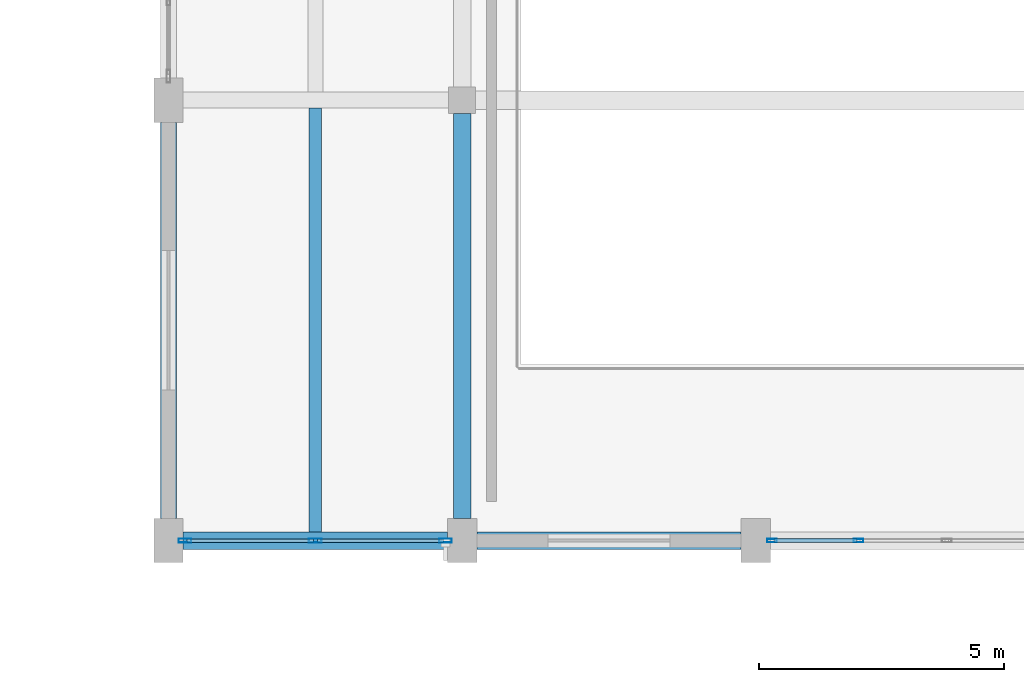
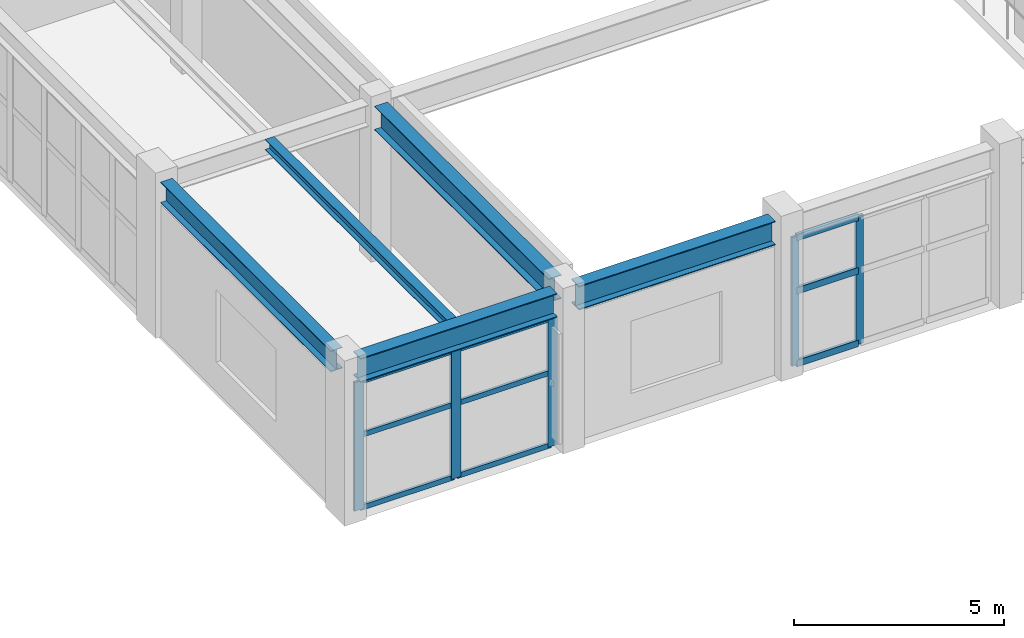
# One storey, part 8 of 96: 14 members, 5 beams, 2 elements without a shape of their own.
"""IFC4 building model written with IfcOpenShell, lengths in metres."""

from ifc_helpers import new_model, si_unit, direction, frame, origin, origin_2d, place, context, subcontext, project, spatial, hollow_rectangle, i_section, extrude, material, layer, layer_set, material_profile, profile_set, type_object, element, aggregate, save


model = new_model("IFC4")

# Units and contexts
model_context = context("Model", 3, precision=1e-05, world=origin(), true_north=direction((0.0, 1.0)))
body_context = subcontext(model_context, "Body", "Model", "MODEL_VIEW")
ifc_project = project(units=[si_unit("LENGTHUNIT", "METRE"), si_unit("AREAUNIT", "SQUARE_METRE"), si_unit("VOLUMEUNIT", "CUBIC_METRE"), si_unit("PLANEANGLEUNIT", "RADIAN"), si_unit("MASSUNIT", "GRAM", prefix="KILO")], contexts=[model_context])

# Site, building, storey
site_placement = place(None, origin())
site = spatial("IfcSite", under=ifc_project, at=site_placement, CompositionType="ELEMENT")
building_placement = place(site_placement, origin())
building = spatial("IfcBuilding", under=site, at=building_placement, Name="Vaelkrest Opera House", CompositionType="ELEMENT")
storey_placement = place(building_placement, frame((0.0, 0.0, 5.39990234375)))
storey = spatial("IfcBuildingStorey", under=building, at=storey_placement, Name="L01", CompositionType="ELEMENT", Elevation=5.39990234375)

# Beam
ifc_material_1 = material(Name="Steel A992 Gr50", Category="steel")
ifc_material_profile_1 = material_profile(ifc_material_1, i_section(OverallWidth=0.35498046875, OverallDepth=0.695068359375, WebThickness=0.015380859375, FlangeThickness=0.02490234375, at=origin_2d()), Name="W27X146")
ifc_profile_set_1 = profile_set([ifc_material_profile_1], Name="Steel A992 Gr50")
beam_type_1 = type_object("IfcBeamType", Name="B10", PredefinedType="BEAM", material=ifc_profile_set_1)
beam_1_placement = place(storey_placement, frame((-69.60009765625, -16.35009765625, 4.152587890625), z_axis=(0.0, 1.0, 0.0), x_axis=(-1.0, 0.0, 0.0)))
element("IfcBeam", 1, at=beam_1_placement, inside=storey, type_object=beam_type_1, Name="Beam BM-V3-L01-1557", PredefinedType="BEAM", context=body_context, shape_type="SweptSolid", body=[
    extrude(i_section(OverallWidth=0.35498046875, OverallDepth=0.695068359375, WebThickness=0.015380859375, FlangeThickness=0.02490234375, at=origin_2d()), origin(), (0.0, 0.0, 1.0), 8.275146484375),
])

# Curtain wall, members
ifc_material_2 = material(Name="Dark bronze anodized aluminium", Category="aluminium")
ifc_layer_1 = layer(ifc_material_2, 0.22998046875)
ifc_layer_set_1 = layer_set([ifc_layer_1], Name="Dark bronze anodized aluminium")
curtain_wall_type_1 = type_object("IfcCurtainWallType", Name="CW06", PredefinedType="NOTDEFINED", material=ifc_layer_set_1)
curtain_wall_1_placement = place(storey_placement, origin())
curtain_wall_1 = element("IfcCurtainWall", 2, at=curtain_wall_1_placement, inside=storey, type_object=curtain_wall_type_1, Name="Curtain wall CW-L01-101", PredefinedType="NOTDEFINED")
ifc_material_profile_2 = material_profile(ifc_material_2, hollow_rectangle(XDim=0.070068359375, YDim=0.199951171875, WallThickness=0.004150390625, at=origin_2d()), Name="CWM70X200")
ifc_profile_set_2 = profile_set([ifc_material_profile_2], Name="Dark bronze anodized aluminium")
member_type_1 = type_object("IfcMemberType", Name="CWM02", PredefinedType="MULLION", material=ifc_profile_set_2)
member_1_placement = place(storey_placement, frame((-61.500732421875, -16.800048828125, 0.0), z_axis=(0.0, 0.0, 1.0), x_axis=(0.0, -1.0, 0.0)))
member_1 = element("IfcMember", 3, at=member_1_placement, type_object=member_type_1, Name="CW06 mullion 3", PredefinedType="MULLION", context=body_context, shape_type="SweptSolid", body=[
    extrude(hollow_rectangle(XDim=0.070068359375, YDim=0.199951171875, WallThickness=0.004150390625, at=origin_2d()), origin(), (0.0, 0.0, 1.0), 3.739990234375),
])
member_2_placement = place(storey_placement, frame((-63.26708984375, -16.800048828125, 0.0), z_axis=(0.0, 0.0, 1.0), x_axis=(0.0, -1.0, 0.0)))
member_2 = element("IfcMember", 4, at=member_2_placement, type_object=member_type_1, Name="CW06 mullion 4", PredefinedType="MULLION", context=body_context, shape_type="SweptSolid", body=[
    extrude(hollow_rectangle(XDim=0.070068359375, YDim=0.199951171875, WallThickness=0.004150390625, at=origin_2d()), origin(), (0.0, 0.0, 1.0), 3.739990234375),
])

ifc_layer_2 = layer(ifc_material_2, 0.25)
ifc_layer_set_2 = layer_set([ifc_layer_2], Name="Dark bronze anodized aluminium")
curtain_wall_type_2 = type_object("IfcCurtainWallType", Name="CW08", PredefinedType="NOTDEFINED", material=ifc_layer_set_2)
curtain_wall_2_placement = place(storey_placement, origin())
curtain_wall_2 = element("IfcCurtainWall", 5, at=curtain_wall_2_placement, inside=storey, type_object=curtain_wall_type_2, Name="Curtain wall CW-L01-102", PredefinedType="NOTDEFINED")
ifc_material_profile_3 = material_profile(ifc_material_2, hollow_rectangle(XDim=0.080078125, YDim=0.260009765625, WallThickness=0.0048828125, at=origin_2d()), Name="CWM80X260")
ifc_profile_set_3 = profile_set([ifc_material_profile_3], Name="Dark bronze anodized aluminium")
member_type_2 = type_object("IfcMemberType", Name="CWM04", PredefinedType="MULLION", material=ifc_profile_set_3)
member_3_placement = place(storey_placement, frame((-69.93798828125, -16.800048828125, 0.0), z_axis=(0.0, 0.0, 1.0), x_axis=(0.0, -1.0, 0.0)))
member_3 = element("IfcMember", 6, at=member_3_placement, type_object=member_type_2, Name="CW08 mullion 1", PredefinedType="MULLION", context=body_context, shape_type="SweptSolid", body=[
    extrude(hollow_rectangle(XDim=0.080078125, YDim=0.260009765625, WallThickness=0.0048828125, at=origin_2d()), origin(), (0.0, 0.0, 1.0), 3.739990234375),
])
member_4_placement = place(storey_placement, frame((-72.60009765625, -16.800048828125, 0.0), z_axis=(0.0, 0.0, 1.0), x_axis=(0.0, -1.0, 0.0)))
member_4 = element("IfcMember", 7, at=member_4_placement, type_object=member_type_2, Name="CW08 mullion 2", PredefinedType="MULLION", context=body_context, shape_type="SweptSolid", body=[
    extrude(hollow_rectangle(XDim=0.080078125, YDim=0.260009765625, WallThickness=0.0048828125, at=origin_2d()), origin(), (0.0, 0.0, 1.0), 3.739990234375),
])
member_5_placement = place(storey_placement, frame((-75.261962890625, -16.800048828125, 0.0), z_axis=(0.0, 0.0, 1.0), x_axis=(0.0, -1.0, 0.0)))
member_5 = element("IfcMember", 8, at=member_5_placement, type_object=member_type_2, Name="CW08 mullion 3", PredefinedType="MULLION", context=body_context, shape_type="SweptSolid", body=[
    extrude(hollow_rectangle(XDim=0.080078125, YDim=0.260009765625, WallThickness=0.0048828125, at=origin_2d()), origin(), (0.0, 0.0, 1.0), 3.739990234375),
])
ifc_material_profile_4 = material_profile(ifc_material_2, hollow_rectangle(XDim=0.070068359375, YDim=0.14990234375, WallThickness=0.004150390625, at=origin_2d()), Name="CWT70X150")
ifc_profile_set_4 = profile_set([ifc_material_profile_4], Name="Dark bronze anodized aluminium")
member_type_3 = type_object("IfcMemberType", Name="CWT02", PredefinedType="USERDEFINED", material=ifc_profile_set_4)
member_6_placement = place(storey_placement, frame((-69.97802734375, -16.800048828125, 0.03515625), z_axis=(-1.0, 0.0, 0.0), x_axis=(0.0, -1.0, 0.0)))
member_6 = element("IfcMember", 9, at=member_6_placement, type_object=member_type_3, Name="CW08 transom 1.1", ObjectType="TRANSOM", PredefinedType="USERDEFINED", context=body_context, shape_type="SweptSolid", body=[
    extrude(hollow_rectangle(XDim=0.070068359375, YDim=0.14990234375, WallThickness=0.004150390625, at=origin_2d()), origin(), (0.0, 0.0, 1.0), 2.58203125),
])
member_7_placement = place(storey_placement, frame((-69.97802734375, -16.800048828125, 2.150146484375), z_axis=(-1.0, 0.0, 0.0), x_axis=(0.0, -1.0, 0.0)))
member_7 = element("IfcMember", 10, at=member_7_placement, type_object=member_type_3, Name="CW08 transom 1.2", ObjectType="TRANSOM", PredefinedType="USERDEFINED", context=body_context, shape_type="SweptSolid", body=[
    extrude(hollow_rectangle(XDim=0.070068359375, YDim=0.14990234375, WallThickness=0.004150390625, at=origin_2d()), origin(), (0.0, 0.0, 1.0), 2.58203125),
])
member_8_placement = place(storey_placement, frame((-69.97802734375, -16.800048828125, 3.705078125), z_axis=(-1.0, 0.0, 0.0), x_axis=(0.0, -1.0, 0.0)))
member_8 = element("IfcMember", 11, at=member_8_placement, type_object=member_type_3, Name="CW08 transom 1.3", ObjectType="TRANSOM", PredefinedType="USERDEFINED", context=body_context, shape_type="SweptSolid", body=[
    extrude(hollow_rectangle(XDim=0.070068359375, YDim=0.14990234375, WallThickness=0.004150390625, at=origin_2d()), origin(), (0.0, 0.0, 1.0), 2.58203125),
])
member_9_placement = place(storey_placement, frame((-72.639892578125, -16.800048828125, 0.03515625), z_axis=(-1.0, 0.0, 0.0), x_axis=(0.0, -1.0, 0.0)))
member_9 = element("IfcMember", 12, at=member_9_placement, type_object=member_type_3, Name="CW08 transom 2.1", ObjectType="TRANSOM", PredefinedType="USERDEFINED", context=body_context, shape_type="SweptSolid", body=[
    extrude(hollow_rectangle(XDim=0.070068359375, YDim=0.14990234375, WallThickness=0.004150390625, at=origin_2d()), origin(), (0.0, 0.0, 1.0), 2.58203125),
])
member_10_placement = place(storey_placement, frame((-72.639892578125, -16.800048828125, 2.150146484375), z_axis=(-1.0, 0.0, 0.0), x_axis=(0.0, -1.0, 0.0)))
member_10 = element("IfcMember", 13, at=member_10_placement, type_object=member_type_3, Name="CW08 transom 2.2", ObjectType="TRANSOM", PredefinedType="USERDEFINED", context=body_context, shape_type="SweptSolid", body=[
    extrude(hollow_rectangle(XDim=0.070068359375, YDim=0.14990234375, WallThickness=0.004150390625, at=origin_2d()), origin(), (0.0, 0.0, 1.0), 2.58203125),
])
member_11_placement = place(storey_placement, frame((-72.639892578125, -16.800048828125, 3.705078125), z_axis=(-1.0, 0.0, 0.0), x_axis=(0.0, -1.0, 0.0)))
member_11 = element("IfcMember", 14, at=member_11_placement, type_object=member_type_3, Name="CW08 transom 2.3", ObjectType="TRANSOM", PredefinedType="USERDEFINED", context=body_context, shape_type="SweptSolid", body=[
    extrude(hollow_rectangle(XDim=0.070068359375, YDim=0.14990234375, WallThickness=0.004150390625, at=origin_2d()), origin(), (0.0, 0.0, 1.0), 2.58203125),
])
aggregate(curtain_wall_2, [member_3, member_4, member_5, member_6, member_7, member_8, member_9, member_10, member_11])

# Member
ifc_material_profile_5 = material_profile(ifc_material_2, hollow_rectangle(XDim=0.080078125, YDim=0.18994140625, WallThickness=0.0048828125, at=origin_2d()), Name="CWT80X190")
ifc_profile_set_5 = profile_set([ifc_material_profile_5], Name="Dark bronze anodized aluminium")
member_type_4 = type_object("IfcMemberType", Name="CWT04", PredefinedType="USERDEFINED", material=ifc_profile_set_5)
member_12_placement = place(storey_placement, frame((-61.53564453125, -16.800048828125, 0.0400390625), z_axis=(-1.0, 0.0, 0.0), x_axis=(0.0, -1.0, 0.0)))
member_12 = element("IfcMember", 15, at=member_12_placement, type_object=member_type_4, Name="CW06 transom 3.1", ObjectType="TRANSOM", PredefinedType="USERDEFINED", context=body_context, shape_type="SweptSolid", body=[
    extrude(hollow_rectangle(XDim=0.080078125, YDim=0.18994140625, WallThickness=0.0048828125, at=origin_2d()), origin(), (0.0, 0.0, 1.0), 1.6962890625),
])

member_13_placement = place(storey_placement, frame((-61.53564453125, -16.800048828125, 2.150146484375), z_axis=(-1.0, 0.0, 0.0), x_axis=(0.0, -1.0, 0.0)))
member_13 = element("IfcMember", 16, at=member_13_placement, type_object=member_type_4, Name="CW06 transom 3.2", ObjectType="TRANSOM", PredefinedType="USERDEFINED", context=body_context, shape_type="SweptSolid", body=[
    extrude(hollow_rectangle(XDim=0.080078125, YDim=0.18994140625, WallThickness=0.0048828125, at=origin_2d()), origin(), (0.0, 0.0, 1.0), 1.6962890625),
])

member_14_placement = place(storey_placement, frame((-61.53564453125, -16.800048828125, 3.7001953125), z_axis=(-1.0, 0.0, 0.0), x_axis=(0.0, -1.0, 0.0)))
member_14 = element("IfcMember", 17, at=member_14_placement, type_object=member_type_4, Name="CW06 transom 3.3", ObjectType="TRANSOM", PredefinedType="USERDEFINED", context=body_context, shape_type="SweptSolid", body=[
    extrude(hollow_rectangle(XDim=0.080078125, YDim=0.18994140625, WallThickness=0.0048828125, at=origin_2d()), origin(), (0.0, 0.0, 1.0), 1.6962890625),
])

aggregate(curtain_wall_1, [member_1, member_2, member_12, member_13, member_14])

# Beams
ifc_material_profile_6 = material_profile(ifc_material_1, i_section(OverallWidth=0.25390625, OverallDepth=0.305908203125, WebThickness=0.0087890625, FlangeThickness=0.0146484375, at=origin_2d()), Name="W12X53")
ifc_profile_set_6 = profile_set([ifc_material_profile_6], Name="Steel A992 Gr50")
beam_type_2 = type_object("IfcBeamType", Name="J03", PredefinedType="JOIST", material=ifc_profile_set_6)
beam_2_placement = place(storey_placement, frame((-72.60009765625, -16.62255859375, 4.34716796875), z_axis=(0.0, 1.0, 0.0), x_axis=(-1.0, 0.0, 0.0)))
element("IfcBeam", 18, at=beam_2_placement, inside=storey, type_object=beam_type_2, Name="Floor joist JST-V3-L01-1593", PredefinedType="JOIST", context=body_context, shape_type="SweptSolid", body=[
    extrude(i_section(OverallWidth=0.25390625, OverallDepth=0.305908203125, WebThickness=0.0087890625, FlangeThickness=0.0146484375, at=origin_2d()), origin(), (0.0, 0.0, 1.0), 8.6591796875),
])
ifc_material_profile_7 = material_profile(ifc_material_1, i_section(OverallWidth=0.323974609375, OverallDepth=0.611083984375, WebThickness=0.0126953125, FlangeThickness=0.01904296875, at=origin_2d()), Name="W24X104")
ifc_profile_set_7 = profile_set([ifc_material_profile_7], Name="Steel A992 Gr50")
beam_type_3 = type_object("IfcBeamType", Name="SP01", PredefinedType="SPANDREL", material=ifc_profile_set_7)
beam_3_placement = place(storey_placement, frame((-75.60009765625, -16.35009765625, 4.194580078125), z_axis=(0.0, 1.0, 0.0), x_axis=(-1.0, 0.0, 0.0)))
element("IfcBeam", 19, at=beam_3_placement, inside=storey, type_object=beam_type_3, Name="Beam BM-V3-L01-1551", PredefinedType="SPANDREL", context=body_context, shape_type="SweptSolid", body=[
    extrude(i_section(OverallWidth=0.323974609375, OverallDepth=0.611083984375, WebThickness=0.0126953125, FlangeThickness=0.01904296875, at=origin_2d()), origin(), (0.0, 0.0, 1.0), 8.10009765625),
])
ifc_material_profile_8 = material_profile(ifc_material_1, i_section(OverallWidth=0.35498046875, OverallDepth=0.695068359375, WebThickness=0.015380859375, FlangeThickness=0.02490234375, at=origin_2d()), Name="W27X146")
ifc_profile_set_8 = profile_set([ifc_material_profile_8], Name="Steel A992 Gr50")
beam_type_4 = type_object("IfcBeamType", Name="SP02", PredefinedType="SPANDREL", material=ifc_profile_set_8)
for number, where, z_axis, x_axis, name in (
    (20, (-75.300048828125, -16.800048828125, 4.152587890625), (1.0, 0.0, 0.0), (0.0, 1.0, 0.0), "Beam BM-V3-L01-1508"),
    (21, (-69.300048828125, -16.800048828125, 4.152587890625), (1.0, 0.0, 0.0), (0.0, 1.0, 0.0), "Beam BM-V3-L01-1509"),
):
    element("IfcBeam", number, at=place(storey_placement, frame(where, z_axis=z_axis, x_axis=x_axis)), inside=storey, type_object=beam_type_4, Name=name, PredefinedType="SPANDREL", context=body_context, shape_type="SweptSolid", body=[
        extrude(i_section(OverallWidth=0.35498046875, OverallDepth=0.695068359375, WebThickness=0.015380859375, FlangeThickness=0.02490234375, at=origin_2d()), origin(), (0.0, 0.0, 1.0), 5.400146484375),
    ])

save(model, "model.ifc")
